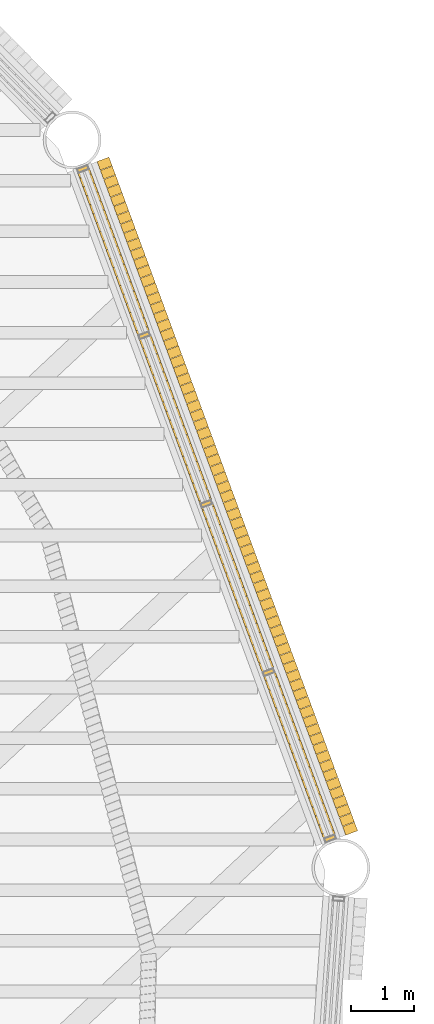
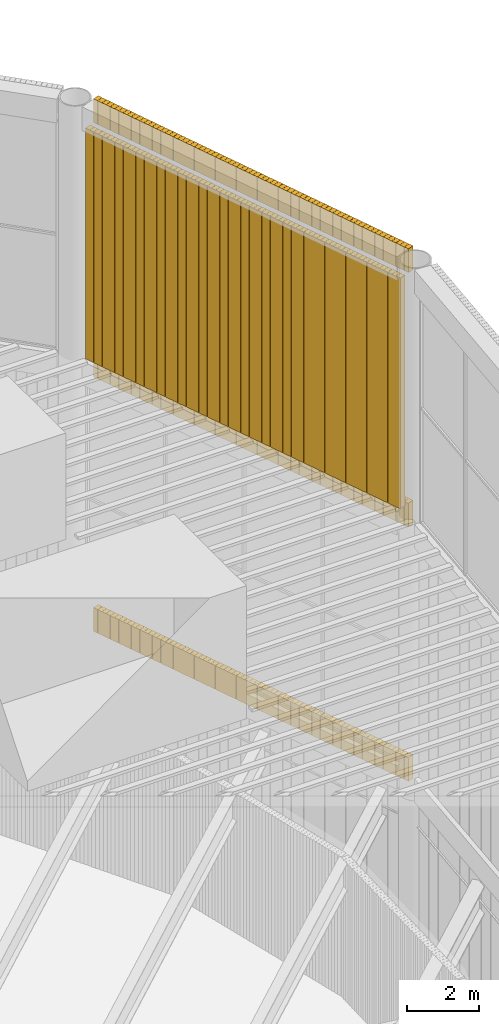
# One storey, part 114 of 117: 4 coverings.
"""IFC4 building model written with IfcOpenShell, lengths in metres."""

from ifc_helpers import new_model, si_unit, direction, frame, frame_2d, origin, place, context, subcontext, project, spatial, rectangle, composite_profile, extrude, material, type_object, element, save


model = new_model("IFC4")

# Units and contexts
model_context = context("Model", 3, precision=1e-05, world=origin(), true_north=direction((0.0, 1.0)))
body_context = subcontext(model_context, "Body", "Model", "MODEL_VIEW")
ifc_project = project(units=[si_unit("LENGTHUNIT", "METRE"), si_unit("AREAUNIT", "SQUARE_METRE"), si_unit("VOLUMEUNIT", "CUBIC_METRE"), si_unit("PLANEANGLEUNIT", "RADIAN"), si_unit("MASSUNIT", "GRAM", prefix="KILO")], contexts=[model_context])

# Site, building, storey
site_placement = place(None, origin())
site = spatial("IfcSite", under=ifc_project, at=site_placement, CompositionType="ELEMENT")
building_placement = place(site_placement, origin())
building = spatial("IfcBuilding", under=site, at=building_placement, Name="Tarsis Ring Headquarters", CompositionType="ELEMENT")
storey_placement = place(building_placement, frame((0.0, 0.0, 403.60009765625)))
storey = spatial("IfcBuildingStorey", under=building, at=storey_placement, Name="L95", CompositionType="ELEMENT", Elevation=403.60009765625)

# Coverings
ifc_material = material(Name="Terracotta louvre", Category="masonry")
covering_type = type_object("IfcCoveringType", Name="Crown louvre fin", PredefinedType="CLADDING", material=ifc_material)
covering_1_placement = place(storey_placement, frame((28.92919921875, 4.63916015625, 5.0), z_axis=(0.0, 0.0, 1.0), x_axis=(-0.34632864497, 0.938117905529, 0.0)))
element("IfcCovering", 1, at=covering_1_placement, inside=storey, type_object=covering_type, Name="Crown louvre fascia R7", PredefinedType="CLADDING", context=body_context, shape_type="SweptSolid", body=[
    extrude(composite_profile([rectangle(XDim=0.14501953125, YDim=0.199951171875, at=frame_2d((0.072509765625, 0.0))), rectangle(XDim=0.14501953125, YDim=0.199951171875, at=frame_2d((0.2236328125, 0.0))), rectangle(XDim=0.14501953125, YDim=0.199951171875, at=frame_2d((0.375, 0.0))), rectangle(XDim=0.14501953125, YDim=0.199951171875, at=frame_2d((0.526123046875, 0.0))), rectangle(XDim=0.14501953125, YDim=0.199951171875, at=frame_2d((0.677490234375, 0.0))), rectangle(XDim=0.14501953125, YDim=0.199951171875, at=frame_2d((0.82861328125, 0.0))), rectangle(XDim=0.14501953125, YDim=0.199951171875, at=frame_2d((0.979736328125, 0.0))), rectangle(XDim=0.14501953125, YDim=0.199951171875, at=frame_2d((1.131103515625, 0.0))), rectangle(XDim=0.14501953125, YDim=0.199951171875, at=frame_2d((1.2822265625, 0.0))), rectangle(XDim=0.14501953125, YDim=0.199951171875, at=frame_2d((1.433349609375, 0.0))), rectangle(XDim=0.14501953125, YDim=0.199951171875, at=frame_2d((1.584716796875, 0.0))), rectangle(XDim=0.14501953125, YDim=0.199951171875, at=frame_2d((1.73583984375, 0.0))), rectangle(XDim=0.14501953125, YDim=0.199951171875, at=frame_2d((1.88720703125, 0.0))), rectangle(XDim=0.14501953125, YDim=0.199951171875, at=frame_2d((2.038330078125, 0.0))), rectangle(XDim=0.14501953125, YDim=0.199951171875, at=frame_2d((2.189453125, 0.0))), rectangle(XDim=0.14501953125, YDim=0.199951171875, at=frame_2d((2.3408203125, 0.0))), rectangle(XDim=0.14501953125, YDim=0.199951171875, at=frame_2d((2.491943359375, 0.0))), rectangle(XDim=0.14501953125, YDim=0.199951171875, at=frame_2d((2.64306640625, 0.0))), rectangle(XDim=0.14501953125, YDim=0.199951171875, at=frame_2d((2.79443359375, 0.0))), rectangle(XDim=0.14501953125, YDim=0.199951171875, at=frame_2d((2.945556640625, 0.0))), rectangle(XDim=0.14501953125, YDim=0.199951171875, at=frame_2d((3.096923828125, 0.0))), rectangle(XDim=0.14501953125, YDim=0.199951171875, at=frame_2d((3.248046875, 0.0))), rectangle(XDim=0.14501953125, YDim=0.199951171875, at=frame_2d((3.399169921875, 0.0))), rectangle(XDim=0.14501953125, YDim=0.199951171875, at=frame_2d((3.550537109375, 0.0))), rectangle(XDim=0.14501953125, YDim=0.199951171875, at=frame_2d((3.70166015625, 0.0))), rectangle(XDim=0.14501953125, YDim=0.199951171875, at=frame_2d((3.852783203125, 0.0))), rectangle(XDim=0.14501953125, YDim=0.199951171875, at=frame_2d((4.004150390625, 0.0))), rectangle(XDim=0.14501953125, YDim=0.199951171875, at=frame_2d((4.1552734375, 0.0))), rectangle(XDim=0.14501953125, YDim=0.199951171875, at=frame_2d((4.306640625, 0.0))), rectangle(XDim=0.14501953125, YDim=0.199951171875, at=frame_2d((4.457763671875, 0.0))), rectangle(XDim=0.14501953125, YDim=0.199951171875, at=frame_2d((4.60888671875, 0.0))), rectangle(XDim=0.14501953125, YDim=0.199951171875, at=frame_2d((4.76025390625, 0.0))), rectangle(XDim=0.14501953125, YDim=0.199951171875, at=frame_2d((4.911376953125, 0.0))), rectangle(XDim=0.14501953125, YDim=0.199951171875, at=frame_2d((5.0625, 0.0))), rectangle(XDim=0.14501953125, YDim=0.199951171875, at=frame_2d((5.2138671875, 0.0))), rectangle(XDim=0.14501953125, YDim=0.199951171875, at=frame_2d((5.364990234375, 0.0))), rectangle(XDim=0.14501953125, YDim=0.199951171875, at=frame_2d((5.516357421875, 0.0))), rectangle(XDim=0.14501953125, YDim=0.199951171875, at=frame_2d((5.66748046875, 0.0))), rectangle(XDim=0.14501953125, YDim=0.199951171875, at=frame_2d((5.818603515625, 0.0))), rectangle(XDim=0.14501953125, YDim=0.199951171875, at=frame_2d((5.969970703125, 0.0))), rectangle(XDim=0.14501953125, YDim=0.199951171875, at=frame_2d((6.12109375, 0.0))), rectangle(XDim=0.14501953125, YDim=0.199951171875, at=frame_2d((6.2724609375, 0.0))), rectangle(XDim=0.14501953125, YDim=0.199951171875, at=frame_2d((6.423583984375, 0.0))), rectangle(XDim=0.14501953125, YDim=0.199951171875, at=frame_2d((6.57470703125, 0.0))), rectangle(XDim=0.14501953125, YDim=0.199951171875, at=frame_2d((6.72607421875, 0.0))), rectangle(XDim=0.14501953125, YDim=0.199951171875, at=frame_2d((6.877197265625, 0.0))), rectangle(XDim=0.14501953125, YDim=0.199951171875, at=frame_2d((7.0283203125, 0.0))), rectangle(XDim=0.14501953125, YDim=0.199951171875, at=frame_2d((7.1796875, 0.0))), rectangle(XDim=0.14501953125, YDim=0.199951171875, at=frame_2d((7.330810546875, 0.0))), rectangle(XDim=0.14501953125, YDim=0.199951171875, at=frame_2d((7.482177734375, 0.0))), rectangle(XDim=0.14501953125, YDim=0.199951171875, at=frame_2d((7.63330078125, 0.0))), rectangle(XDim=0.14501953125, YDim=0.199951171875, at=frame_2d((7.784423828125, 0.0))), rectangle(XDim=0.14501953125, YDim=0.199951171875, at=frame_2d((7.935791015625, 0.0))), rectangle(XDim=0.14501953125, YDim=0.199951171875, at=frame_2d((8.0869140625, 0.0))), rectangle(XDim=0.14501953125, YDim=0.199951171875, at=frame_2d((8.238037109375, 0.0))), rectangle(XDim=0.14501953125, YDim=0.199951171875, at=frame_2d((8.389404296875, 0.0))), rectangle(XDim=0.14501953125, YDim=0.199951171875, at=frame_2d((8.54052734375, 0.0))), rectangle(XDim=0.14501953125, YDim=0.199951171875, at=frame_2d((8.69189453125, 0.0))), rectangle(XDim=0.14501953125, YDim=0.199951171875, at=frame_2d((8.843017578125, 0.0))), rectangle(XDim=0.14501953125, YDim=0.199951171875, at=frame_2d((8.994140625, 0.0))), rectangle(XDim=0.14501953125, YDim=0.199951171875, at=frame_2d((9.1455078125, 0.0))), rectangle(XDim=0.14501953125, YDim=0.199951171875, at=frame_2d((9.296630859375, 0.0))), rectangle(XDim=0.14501953125, YDim=0.199951171875, at=frame_2d((9.44775390625, 0.0))), rectangle(XDim=0.14501953125, YDim=0.199951171875, at=frame_2d((9.59912109375, 0.0))), rectangle(XDim=0.14501953125, YDim=0.199951171875, at=frame_2d((9.750244140625, 0.0))), rectangle(XDim=0.14501953125, YDim=0.199951171875, at=frame_2d((9.901611328125, 0.0))), rectangle(XDim=0.14501953125, YDim=0.199951171875, at=frame_2d((10.052734375, 0.0))), rectangle(XDim=0.14501953125, YDim=0.199951171875, at=frame_2d((10.203857421875, 0.0))), rectangle(XDim=0.14501953125, YDim=0.199951171875, at=frame_2d((10.355224609375, 0.0))), rectangle(XDim=0.14501953125, YDim=0.199951171875, at=frame_2d((10.50634765625, 0.0))), rectangle(XDim=0.14501953125, YDim=0.199951171875, at=frame_2d((10.657470703125, 0.0))), rectangle(XDim=0.14501953125, YDim=0.199951171875, at=frame_2d((10.808837890625, 0.0))), rectangle(XDim=0.14501953125, YDim=0.199951171875, at=frame_2d((10.9599609375, 0.0))), rectangle(XDim=0.14501953125, YDim=0.199951171875, at=frame_2d((11.111328125, 0.0))), rectangle(XDim=0.14501953125, YDim=0.199951171875, at=frame_2d((11.262451171875, 0.0)))]), origin(), (0.0, 0.0, 1.0), 0.7998046875),
])
covering_2_placement = place(storey_placement, frame((28.92919921875, 4.63916015625, 13.599853515625), z_axis=(0.0, 0.0, 1.0), x_axis=(-0.34632864497, 0.938117905529, 0.0)))
element("IfcCovering", 2, at=covering_2_placement, inside=storey, type_object=covering_type, Name="Crown louvre fascia M7", PredefinedType="CLADDING", context=body_context, shape_type="SweptSolid", body=[
    extrude(composite_profile([rectangle(XDim=0.14501953125, YDim=0.199951171875, at=frame_2d((0.072509765625, 0.0))), rectangle(XDim=0.14501953125, YDim=0.199951171875, at=frame_2d((0.2236328125, 0.0))), rectangle(XDim=0.14501953125, YDim=0.199951171875, at=frame_2d((0.375, 0.0))), rectangle(XDim=0.14501953125, YDim=0.199951171875, at=frame_2d((0.526123046875, 0.0))), rectangle(XDim=0.14501953125, YDim=0.199951171875, at=frame_2d((0.677490234375, 0.0))), rectangle(XDim=0.14501953125, YDim=0.199951171875, at=frame_2d((0.82861328125, 0.0))), rectangle(XDim=0.14501953125, YDim=0.199951171875, at=frame_2d((0.979736328125, 0.0))), rectangle(XDim=0.14501953125, YDim=0.199951171875, at=frame_2d((1.131103515625, 0.0))), rectangle(XDim=0.14501953125, YDim=0.199951171875, at=frame_2d((1.2822265625, 0.0))), rectangle(XDim=0.14501953125, YDim=0.199951171875, at=frame_2d((1.433349609375, 0.0))), rectangle(XDim=0.14501953125, YDim=0.199951171875, at=frame_2d((1.584716796875, 0.0))), rectangle(XDim=0.14501953125, YDim=0.199951171875, at=frame_2d((1.73583984375, 0.0))), rectangle(XDim=0.14501953125, YDim=0.199951171875, at=frame_2d((1.88720703125, 0.0))), rectangle(XDim=0.14501953125, YDim=0.199951171875, at=frame_2d((2.038330078125, 0.0))), rectangle(XDim=0.14501953125, YDim=0.199951171875, at=frame_2d((2.189453125, 0.0))), rectangle(XDim=0.14501953125, YDim=0.199951171875, at=frame_2d((2.3408203125, 0.0))), rectangle(XDim=0.14501953125, YDim=0.199951171875, at=frame_2d((2.491943359375, 0.0))), rectangle(XDim=0.14501953125, YDim=0.199951171875, at=frame_2d((2.64306640625, 0.0))), rectangle(XDim=0.14501953125, YDim=0.199951171875, at=frame_2d((2.79443359375, 0.0))), rectangle(XDim=0.14501953125, YDim=0.199951171875, at=frame_2d((2.945556640625, 0.0))), rectangle(XDim=0.14501953125, YDim=0.199951171875, at=frame_2d((3.096923828125, 0.0))), rectangle(XDim=0.14501953125, YDim=0.199951171875, at=frame_2d((3.248046875, 0.0))), rectangle(XDim=0.14501953125, YDim=0.199951171875, at=frame_2d((3.399169921875, 0.0))), rectangle(XDim=0.14501953125, YDim=0.199951171875, at=frame_2d((3.550537109375, 0.0))), rectangle(XDim=0.14501953125, YDim=0.199951171875, at=frame_2d((3.70166015625, 0.0))), rectangle(XDim=0.14501953125, YDim=0.199951171875, at=frame_2d((3.852783203125, 0.0))), rectangle(XDim=0.14501953125, YDim=0.199951171875, at=frame_2d((4.004150390625, 0.0))), rectangle(XDim=0.14501953125, YDim=0.199951171875, at=frame_2d((4.1552734375, 0.0))), rectangle(XDim=0.14501953125, YDim=0.199951171875, at=frame_2d((4.306640625, 0.0))), rectangle(XDim=0.14501953125, YDim=0.199951171875, at=frame_2d((4.457763671875, 0.0))), rectangle(XDim=0.14501953125, YDim=0.199951171875, at=frame_2d((4.60888671875, 0.0))), rectangle(XDim=0.14501953125, YDim=0.199951171875, at=frame_2d((4.76025390625, 0.0))), rectangle(XDim=0.14501953125, YDim=0.199951171875, at=frame_2d((4.911376953125, 0.0))), rectangle(XDim=0.14501953125, YDim=0.199951171875, at=frame_2d((5.0625, 0.0))), rectangle(XDim=0.14501953125, YDim=0.199951171875, at=frame_2d((5.2138671875, 0.0))), rectangle(XDim=0.14501953125, YDim=0.199951171875, at=frame_2d((5.364990234375, 0.0))), rectangle(XDim=0.14501953125, YDim=0.199951171875, at=frame_2d((5.516357421875, 0.0))), rectangle(XDim=0.14501953125, YDim=0.199951171875, at=frame_2d((5.66748046875, 0.0))), rectangle(XDim=0.14501953125, YDim=0.199951171875, at=frame_2d((5.818603515625, 0.0))), rectangle(XDim=0.14501953125, YDim=0.199951171875, at=frame_2d((5.969970703125, 0.0))), rectangle(XDim=0.14501953125, YDim=0.199951171875, at=frame_2d((6.12109375, 0.0))), rectangle(XDim=0.14501953125, YDim=0.199951171875, at=frame_2d((6.2724609375, 0.0))), rectangle(XDim=0.14501953125, YDim=0.199951171875, at=frame_2d((6.423583984375, 0.0))), rectangle(XDim=0.14501953125, YDim=0.199951171875, at=frame_2d((6.57470703125, 0.0))), rectangle(XDim=0.14501953125, YDim=0.199951171875, at=frame_2d((6.72607421875, 0.0))), rectangle(XDim=0.14501953125, YDim=0.199951171875, at=frame_2d((6.877197265625, 0.0))), rectangle(XDim=0.14501953125, YDim=0.199951171875, at=frame_2d((7.0283203125, 0.0))), rectangle(XDim=0.14501953125, YDim=0.199951171875, at=frame_2d((7.1796875, 0.0))), rectangle(XDim=0.14501953125, YDim=0.199951171875, at=frame_2d((7.330810546875, 0.0))), rectangle(XDim=0.14501953125, YDim=0.199951171875, at=frame_2d((7.482177734375, 0.0))), rectangle(XDim=0.14501953125, YDim=0.199951171875, at=frame_2d((7.63330078125, 0.0))), rectangle(XDim=0.14501953125, YDim=0.199951171875, at=frame_2d((7.784423828125, 0.0))), rectangle(XDim=0.14501953125, YDim=0.199951171875, at=frame_2d((7.935791015625, 0.0))), rectangle(XDim=0.14501953125, YDim=0.199951171875, at=frame_2d((8.0869140625, 0.0))), rectangle(XDim=0.14501953125, YDim=0.199951171875, at=frame_2d((8.238037109375, 0.0))), rectangle(XDim=0.14501953125, YDim=0.199951171875, at=frame_2d((8.389404296875, 0.0))), rectangle(XDim=0.14501953125, YDim=0.199951171875, at=frame_2d((8.54052734375, 0.0))), rectangle(XDim=0.14501953125, YDim=0.199951171875, at=frame_2d((8.69189453125, 0.0))), rectangle(XDim=0.14501953125, YDim=0.199951171875, at=frame_2d((8.843017578125, 0.0))), rectangle(XDim=0.14501953125, YDim=0.199951171875, at=frame_2d((8.994140625, 0.0))), rectangle(XDim=0.14501953125, YDim=0.199951171875, at=frame_2d((9.1455078125, 0.0))), rectangle(XDim=0.14501953125, YDim=0.199951171875, at=frame_2d((9.296630859375, 0.0))), rectangle(XDim=0.14501953125, YDim=0.199951171875, at=frame_2d((9.44775390625, 0.0))), rectangle(XDim=0.14501953125, YDim=0.199951171875, at=frame_2d((9.59912109375, 0.0))), rectangle(XDim=0.14501953125, YDim=0.199951171875, at=frame_2d((9.750244140625, 0.0))), rectangle(XDim=0.14501953125, YDim=0.199951171875, at=frame_2d((9.901611328125, 0.0))), rectangle(XDim=0.14501953125, YDim=0.199951171875, at=frame_2d((10.052734375, 0.0))), rectangle(XDim=0.14501953125, YDim=0.199951171875, at=frame_2d((10.203857421875, 0.0))), rectangle(XDim=0.14501953125, YDim=0.199951171875, at=frame_2d((10.355224609375, 0.0))), rectangle(XDim=0.14501953125, YDim=0.199951171875, at=frame_2d((10.50634765625, 0.0))), rectangle(XDim=0.14501953125, YDim=0.199951171875, at=frame_2d((10.657470703125, 0.0))), rectangle(XDim=0.14501953125, YDim=0.199951171875, at=frame_2d((10.808837890625, 0.0))), rectangle(XDim=0.14501953125, YDim=0.199951171875, at=frame_2d((10.9599609375, 0.0))), rectangle(XDim=0.14501953125, YDim=0.199951171875, at=frame_2d((11.111328125, 0.0))), rectangle(XDim=0.14501953125, YDim=0.199951171875, at=frame_2d((11.262451171875, 0.0)))]), origin(), (0.0, 0.0, 1.0), 0.800048828125),
])
covering_3_placement = place(storey_placement, frame((28.92919921875, 4.63916015625, 22.199951171875), z_axis=(0.0, 0.0, 1.0), x_axis=(-0.34632864497, 0.938117905529, 0.0)))
element("IfcCovering", 3, at=covering_3_placement, inside=storey, type_object=covering_type, Name="Crown louvre fascia T7", PredefinedType="CLADDING", context=body_context, shape_type="SweptSolid", body=[
    extrude(composite_profile([rectangle(XDim=0.14501953125, YDim=0.199951171875, at=frame_2d((0.072509765625, 0.0))), rectangle(XDim=0.14501953125, YDim=0.199951171875, at=frame_2d((0.2236328125, 0.0))), rectangle(XDim=0.14501953125, YDim=0.199951171875, at=frame_2d((0.375, 0.0))), rectangle(XDim=0.14501953125, YDim=0.199951171875, at=frame_2d((0.526123046875, 0.0))), rectangle(XDim=0.14501953125, YDim=0.199951171875, at=frame_2d((0.677490234375, 0.0))), rectangle(XDim=0.14501953125, YDim=0.199951171875, at=frame_2d((0.82861328125, 0.0))), rectangle(XDim=0.14501953125, YDim=0.199951171875, at=frame_2d((0.979736328125, 0.0))), rectangle(XDim=0.14501953125, YDim=0.199951171875, at=frame_2d((1.131103515625, 0.0))), rectangle(XDim=0.14501953125, YDim=0.199951171875, at=frame_2d((1.2822265625, 0.0))), rectangle(XDim=0.14501953125, YDim=0.199951171875, at=frame_2d((1.433349609375, 0.0))), rectangle(XDim=0.14501953125, YDim=0.199951171875, at=frame_2d((1.584716796875, 0.0))), rectangle(XDim=0.14501953125, YDim=0.199951171875, at=frame_2d((1.73583984375, 0.0))), rectangle(XDim=0.14501953125, YDim=0.199951171875, at=frame_2d((1.88720703125, 0.0))), rectangle(XDim=0.14501953125, YDim=0.199951171875, at=frame_2d((2.038330078125, 0.0))), rectangle(XDim=0.14501953125, YDim=0.199951171875, at=frame_2d((2.189453125, 0.0))), rectangle(XDim=0.14501953125, YDim=0.199951171875, at=frame_2d((2.3408203125, 0.0))), rectangle(XDim=0.14501953125, YDim=0.199951171875, at=frame_2d((2.491943359375, 0.0))), rectangle(XDim=0.14501953125, YDim=0.199951171875, at=frame_2d((2.64306640625, 0.0))), rectangle(XDim=0.14501953125, YDim=0.199951171875, at=frame_2d((2.79443359375, 0.0))), rectangle(XDim=0.14501953125, YDim=0.199951171875, at=frame_2d((2.945556640625, 0.0))), rectangle(XDim=0.14501953125, YDim=0.199951171875, at=frame_2d((3.096923828125, 0.0))), rectangle(XDim=0.14501953125, YDim=0.199951171875, at=frame_2d((3.248046875, 0.0))), rectangle(XDim=0.14501953125, YDim=0.199951171875, at=frame_2d((3.399169921875, 0.0))), rectangle(XDim=0.14501953125, YDim=0.199951171875, at=frame_2d((3.550537109375, 0.0))), rectangle(XDim=0.14501953125, YDim=0.199951171875, at=frame_2d((3.70166015625, 0.0))), rectangle(XDim=0.14501953125, YDim=0.199951171875, at=frame_2d((3.852783203125, 0.0))), rectangle(XDim=0.14501953125, YDim=0.199951171875, at=frame_2d((4.004150390625, 0.0))), rectangle(XDim=0.14501953125, YDim=0.199951171875, at=frame_2d((4.1552734375, 0.0))), rectangle(XDim=0.14501953125, YDim=0.199951171875, at=frame_2d((4.306640625, 0.0))), rectangle(XDim=0.14501953125, YDim=0.199951171875, at=frame_2d((4.457763671875, 0.0))), rectangle(XDim=0.14501953125, YDim=0.199951171875, at=frame_2d((4.60888671875, 0.0))), rectangle(XDim=0.14501953125, YDim=0.199951171875, at=frame_2d((4.76025390625, 0.0))), rectangle(XDim=0.14501953125, YDim=0.199951171875, at=frame_2d((4.911376953125, 0.0))), rectangle(XDim=0.14501953125, YDim=0.199951171875, at=frame_2d((5.0625, 0.0))), rectangle(XDim=0.14501953125, YDim=0.199951171875, at=frame_2d((5.2138671875, 0.0))), rectangle(XDim=0.14501953125, YDim=0.199951171875, at=frame_2d((5.364990234375, 0.0))), rectangle(XDim=0.14501953125, YDim=0.199951171875, at=frame_2d((5.516357421875, 0.0))), rectangle(XDim=0.14501953125, YDim=0.199951171875, at=frame_2d((5.66748046875, 0.0))), rectangle(XDim=0.14501953125, YDim=0.199951171875, at=frame_2d((5.818603515625, 0.0))), rectangle(XDim=0.14501953125, YDim=0.199951171875, at=frame_2d((5.969970703125, 0.0))), rectangle(XDim=0.14501953125, YDim=0.199951171875, at=frame_2d((6.12109375, 0.0))), rectangle(XDim=0.14501953125, YDim=0.199951171875, at=frame_2d((6.2724609375, 0.0))), rectangle(XDim=0.14501953125, YDim=0.199951171875, at=frame_2d((6.423583984375, 0.0))), rectangle(XDim=0.14501953125, YDim=0.199951171875, at=frame_2d((6.57470703125, 0.0))), rectangle(XDim=0.14501953125, YDim=0.199951171875, at=frame_2d((6.72607421875, 0.0))), rectangle(XDim=0.14501953125, YDim=0.199951171875, at=frame_2d((6.877197265625, 0.0))), rectangle(XDim=0.14501953125, YDim=0.199951171875, at=frame_2d((7.0283203125, 0.0))), rectangle(XDim=0.14501953125, YDim=0.199951171875, at=frame_2d((7.1796875, 0.0))), rectangle(XDim=0.14501953125, YDim=0.199951171875, at=frame_2d((7.330810546875, 0.0))), rectangle(XDim=0.14501953125, YDim=0.199951171875, at=frame_2d((7.482177734375, 0.0))), rectangle(XDim=0.14501953125, YDim=0.199951171875, at=frame_2d((7.63330078125, 0.0))), rectangle(XDim=0.14501953125, YDim=0.199951171875, at=frame_2d((7.784423828125, 0.0))), rectangle(XDim=0.14501953125, YDim=0.199951171875, at=frame_2d((7.935791015625, 0.0))), rectangle(XDim=0.14501953125, YDim=0.199951171875, at=frame_2d((8.0869140625, 0.0))), rectangle(XDim=0.14501953125, YDim=0.199951171875, at=frame_2d((8.238037109375, 0.0))), rectangle(XDim=0.14501953125, YDim=0.199951171875, at=frame_2d((8.389404296875, 0.0))), rectangle(XDim=0.14501953125, YDim=0.199951171875, at=frame_2d((8.54052734375, 0.0))), rectangle(XDim=0.14501953125, YDim=0.199951171875, at=frame_2d((8.69189453125, 0.0))), rectangle(XDim=0.14501953125, YDim=0.199951171875, at=frame_2d((8.843017578125, 0.0))), rectangle(XDim=0.14501953125, YDim=0.199951171875, at=frame_2d((8.994140625, 0.0))), rectangle(XDim=0.14501953125, YDim=0.199951171875, at=frame_2d((9.1455078125, 0.0))), rectangle(XDim=0.14501953125, YDim=0.199951171875, at=frame_2d((9.296630859375, 0.0))), rectangle(XDim=0.14501953125, YDim=0.199951171875, at=frame_2d((9.44775390625, 0.0))), rectangle(XDim=0.14501953125, YDim=0.199951171875, at=frame_2d((9.59912109375, 0.0))), rectangle(XDim=0.14501953125, YDim=0.199951171875, at=frame_2d((9.750244140625, 0.0))), rectangle(XDim=0.14501953125, YDim=0.199951171875, at=frame_2d((9.901611328125, 0.0))), rectangle(XDim=0.14501953125, YDim=0.199951171875, at=frame_2d((10.052734375, 0.0))), rectangle(XDim=0.14501953125, YDim=0.199951171875, at=frame_2d((10.203857421875, 0.0))), rectangle(XDim=0.14501953125, YDim=0.199951171875, at=frame_2d((10.355224609375, 0.0))), rectangle(XDim=0.14501953125, YDim=0.199951171875, at=frame_2d((10.50634765625, 0.0))), rectangle(XDim=0.14501953125, YDim=0.199951171875, at=frame_2d((10.657470703125, 0.0))), rectangle(XDim=0.14501953125, YDim=0.199951171875, at=frame_2d((10.808837890625, 0.0))), rectangle(XDim=0.14501953125, YDim=0.199951171875, at=frame_2d((10.9599609375, 0.0))), rectangle(XDim=0.14501953125, YDim=0.199951171875, at=frame_2d((11.111328125, 0.0))), rectangle(XDim=0.14501953125, YDim=0.199951171875, at=frame_2d((11.262451171875, 0.0)))]), origin(), (0.0, 0.0, 1.0), 0.800048828125),
])
covering_4_placement = place(storey_placement, frame((28.60107421875, 4.517822265625, 14.39990234375), z_axis=(0.0, 0.0, 1.0), x_axis=(-0.346342724218, 0.938097699664, 0.0)))
element("IfcCovering", 4, at=covering_4_placement, inside=storey, type_object=covering_type, Name="Crown louvre U7", PredefinedType="CLADDING", context=body_context, shape_type="SweptSolid", body=[
    extrude(composite_profile([rectangle(XDim=0.14501953125, YDim=0.199951171875, at=frame_2d((0.072509765625, 0.0))), rectangle(XDim=0.14501953125, YDim=0.199951171875, at=frame_2d((0.2236328125, 0.0))), rectangle(XDim=0.14501953125, YDim=0.199951171875, at=frame_2d((0.375, 0.0))), rectangle(XDim=0.14501953125, YDim=0.199951171875, at=frame_2d((0.526123046875, 0.0))), rectangle(XDim=0.14501953125, YDim=0.199951171875, at=frame_2d((0.677490234375, 0.0))), rectangle(XDim=0.14501953125, YDim=0.199951171875, at=frame_2d((0.82861328125, 0.0))), rectangle(XDim=0.14501953125, YDim=0.199951171875, at=frame_2d((0.979736328125, 0.0))), rectangle(XDim=0.14501953125, YDim=0.199951171875, at=frame_2d((1.131103515625, 0.0))), rectangle(XDim=0.14501953125, YDim=0.199951171875, at=frame_2d((1.2822265625, 0.0))), rectangle(XDim=0.14501953125, YDim=0.199951171875, at=frame_2d((1.433349609375, 0.0))), rectangle(XDim=0.14501953125, YDim=0.199951171875, at=frame_2d((1.584716796875, 0.0))), rectangle(XDim=0.14501953125, YDim=0.199951171875, at=frame_2d((1.73583984375, 0.0))), rectangle(XDim=0.14501953125, YDim=0.199951171875, at=frame_2d((1.88720703125, 0.0))), rectangle(XDim=0.14501953125, YDim=0.199951171875, at=frame_2d((2.038330078125, 0.0))), rectangle(XDim=0.14501953125, YDim=0.199951171875, at=frame_2d((2.189453125, 0.0))), rectangle(XDim=0.14501953125, YDim=0.199951171875, at=frame_2d((2.3408203125, 0.0))), rectangle(XDim=0.14501953125, YDim=0.199951171875, at=frame_2d((2.491943359375, 0.0))), rectangle(XDim=0.14501953125, YDim=0.199951171875, at=frame_2d((2.64306640625, 0.0))), rectangle(XDim=0.14501953125, YDim=0.199951171875, at=frame_2d((2.79443359375, 0.0))), rectangle(XDim=0.14501953125, YDim=0.199951171875, at=frame_2d((2.945556640625, 0.0))), rectangle(XDim=0.14501953125, YDim=0.199951171875, at=frame_2d((3.096923828125, 0.0))), rectangle(XDim=0.14501953125, YDim=0.199951171875, at=frame_2d((3.248046875, 0.0))), rectangle(XDim=0.14501953125, YDim=0.199951171875, at=frame_2d((3.399169921875, 0.0))), rectangle(XDim=0.14501953125, YDim=0.199951171875, at=frame_2d((3.550537109375, 0.0))), rectangle(XDim=0.14501953125, YDim=0.199951171875, at=frame_2d((3.70166015625, 0.0))), rectangle(XDim=0.14501953125, YDim=0.199951171875, at=frame_2d((3.852783203125, 0.0))), rectangle(XDim=0.14501953125, YDim=0.199951171875, at=frame_2d((4.004150390625, 0.0))), rectangle(XDim=0.14501953125, YDim=0.199951171875, at=frame_2d((4.1552734375, 0.0))), rectangle(XDim=0.14501953125, YDim=0.199951171875, at=frame_2d((4.306640625, 0.0))), rectangle(XDim=0.14501953125, YDim=0.199951171875, at=frame_2d((4.457763671875, 0.0))), rectangle(XDim=0.14501953125, YDim=0.199951171875, at=frame_2d((4.60888671875, 0.0))), rectangle(XDim=0.14501953125, YDim=0.199951171875, at=frame_2d((4.76025390625, 0.0))), rectangle(XDim=0.14501953125, YDim=0.199951171875, at=frame_2d((4.911376953125, 0.0))), rectangle(XDim=0.14501953125, YDim=0.199951171875, at=frame_2d((5.0625, 0.0))), rectangle(XDim=0.14501953125, YDim=0.199951171875, at=frame_2d((5.2138671875, 0.0))), rectangle(XDim=0.14501953125, YDim=0.199951171875, at=frame_2d((5.364990234375, 0.0))), rectangle(XDim=0.14501953125, YDim=0.199951171875, at=frame_2d((5.516357421875, 0.0))), rectangle(XDim=0.14501953125, YDim=0.199951171875, at=frame_2d((5.66748046875, 0.0))), rectangle(XDim=0.14501953125, YDim=0.199951171875, at=frame_2d((5.818603515625, 0.0))), rectangle(XDim=0.14501953125, YDim=0.199951171875, at=frame_2d((5.969970703125, 0.0))), rectangle(XDim=0.14501953125, YDim=0.199951171875, at=frame_2d((6.12109375, 0.0))), rectangle(XDim=0.14501953125, YDim=0.199951171875, at=frame_2d((6.2724609375, 0.0))), rectangle(XDim=0.14501953125, YDim=0.199951171875, at=frame_2d((6.423583984375, 0.0))), rectangle(XDim=0.14501953125, YDim=0.199951171875, at=frame_2d((6.57470703125, 0.0))), rectangle(XDim=0.14501953125, YDim=0.199951171875, at=frame_2d((6.72607421875, 0.0))), rectangle(XDim=0.14501953125, YDim=0.199951171875, at=frame_2d((6.877197265625, 0.0))), rectangle(XDim=0.14501953125, YDim=0.199951171875, at=frame_2d((7.0283203125, 0.0))), rectangle(XDim=0.14501953125, YDim=0.199951171875, at=frame_2d((7.1796875, 0.0))), rectangle(XDim=0.14501953125, YDim=0.199951171875, at=frame_2d((7.330810546875, 0.0))), rectangle(XDim=0.14501953125, YDim=0.199951171875, at=frame_2d((7.482177734375, 0.0))), rectangle(XDim=0.14501953125, YDim=0.199951171875, at=frame_2d((7.63330078125, 0.0))), rectangle(XDim=0.14501953125, YDim=0.199951171875, at=frame_2d((7.784423828125, 0.0))), rectangle(XDim=0.14501953125, YDim=0.199951171875, at=frame_2d((7.935791015625, 0.0))), rectangle(XDim=0.14501953125, YDim=0.199951171875, at=frame_2d((8.0869140625, 0.0))), rectangle(XDim=0.14501953125, YDim=0.199951171875, at=frame_2d((8.238037109375, 0.0))), rectangle(XDim=0.14501953125, YDim=0.199951171875, at=frame_2d((8.389404296875, 0.0))), rectangle(XDim=0.14501953125, YDim=0.199951171875, at=frame_2d((8.54052734375, 0.0))), rectangle(XDim=0.14501953125, YDim=0.199951171875, at=frame_2d((8.69189453125, 0.0))), rectangle(XDim=0.14501953125, YDim=0.199951171875, at=frame_2d((8.843017578125, 0.0))), rectangle(XDim=0.14501953125, YDim=0.199951171875, at=frame_2d((8.994140625, 0.0))), rectangle(XDim=0.14501953125, YDim=0.199951171875, at=frame_2d((9.1455078125, 0.0))), rectangle(XDim=0.14501953125, YDim=0.199951171875, at=frame_2d((9.296630859375, 0.0))), rectangle(XDim=0.14501953125, YDim=0.199951171875, at=frame_2d((9.44775390625, 0.0))), rectangle(XDim=0.14501953125, YDim=0.199951171875, at=frame_2d((9.59912109375, 0.0))), rectangle(XDim=0.14501953125, YDim=0.199951171875, at=frame_2d((9.750244140625, 0.0))), rectangle(XDim=0.14501953125, YDim=0.199951171875, at=frame_2d((9.901611328125, 0.0))), rectangle(XDim=0.14501953125, YDim=0.199951171875, at=frame_2d((10.052734375, 0.0))), rectangle(XDim=0.14501953125, YDim=0.199951171875, at=frame_2d((10.203857421875, 0.0))), rectangle(XDim=0.14501953125, YDim=0.199951171875, at=frame_2d((10.355224609375, 0.0))), rectangle(XDim=0.14501953125, YDim=0.199951171875, at=frame_2d((10.50634765625, 0.0))), rectangle(XDim=0.14501953125, YDim=0.199951171875, at=frame_2d((10.657470703125, 0.0))), rectangle(XDim=0.14501953125, YDim=0.199951171875, at=frame_2d((10.808837890625, 0.0))), rectangle(XDim=0.14501953125, YDim=0.199951171875, at=frame_2d((10.9599609375, 0.0))), rectangle(XDim=0.14501953125, YDim=0.199951171875, at=frame_2d((11.111328125, 0.0))), rectangle(XDim=0.14501953125, YDim=0.199951171875, at=frame_2d((11.262451171875, 0.0)))]), origin(), (0.0, 0.0, 1.0), 7.800048828125),
])

save(model, "model.ifc")
